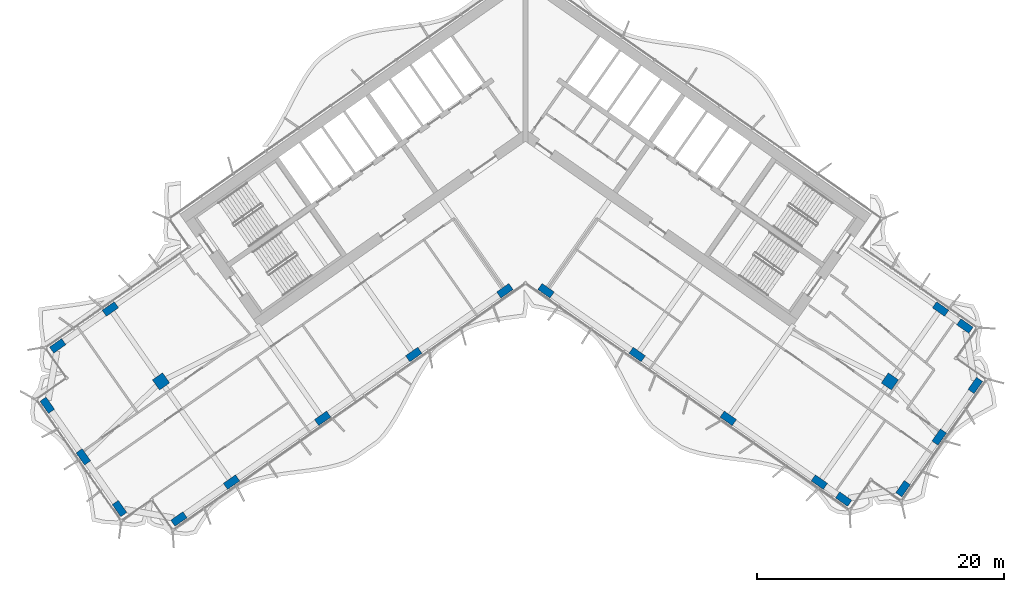
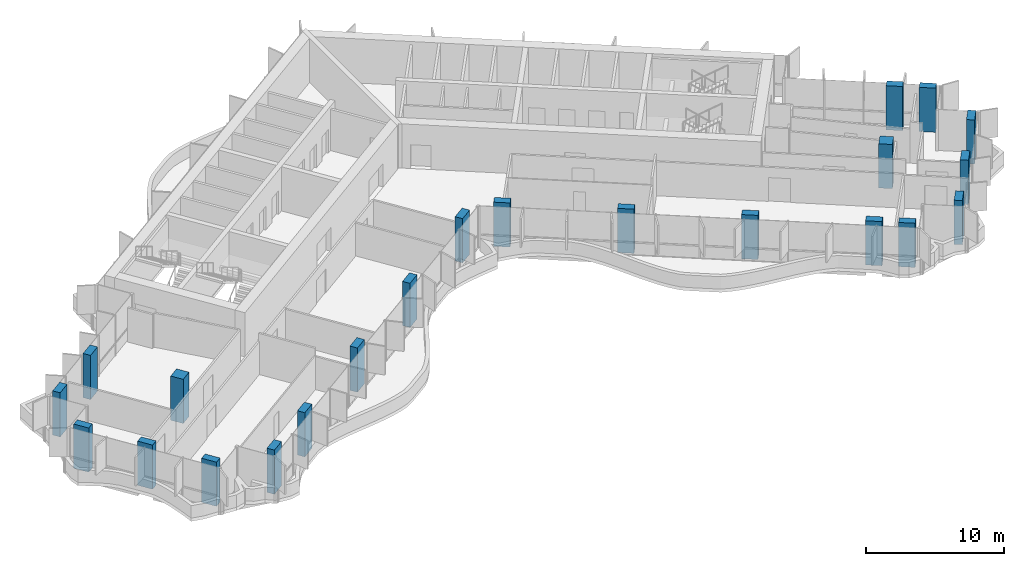
# One storey, part 1 of 21: 22 columns.
"""IFC4 building model written with IfcOpenShell, lengths in metres."""

from ifc_helpers import new_model, si_unit, direction, frame, origin, origin_2d, place, context, subcontext, project, spatial, rectangle, extrude, material, material_profile, profile_set, type_object, element, save


model = new_model("IFC4")

# Units and contexts
model_context = context("Model", 3, precision=1e-05, world=origin(), true_north=direction((0.0, 1.0)))
body_context = subcontext(model_context, "Body", "Model", "MODEL_VIEW")
ifc_project = project(units=[si_unit("LENGTHUNIT", "METRE"), si_unit("AREAUNIT", "SQUARE_METRE"), si_unit("VOLUMEUNIT", "CUBIC_METRE"), si_unit("PLANEANGLEUNIT", "RADIAN"), si_unit("MASSUNIT", "GRAM", prefix="KILO")], contexts=[model_context])

# Site, building, storey
site_placement = place(None, origin())
site = spatial("IfcSite", under=ifc_project, at=site_placement, CompositionType="ELEMENT")
building_placement = place(site_placement, origin())
building = spatial("IfcBuilding", under=site, at=building_placement, Name="Tel Ilan Convention Tower", CompositionType="ELEMENT")
storey_placement = place(building_placement, frame((0.0, 0.0, 147.60009765625)))
storey = spatial("IfcBuildingStorey", under=building, at=storey_placement, Name="L33", CompositionType="ELEMENT", Elevation=147.60009765625)

# Columns
ifc_material_1 = material(Name="Concrete C50/60", Category="concrete")
ifc_material_profile_1 = material_profile(ifc_material_1, rectangle(XDim=1.0, YDim=1.0, at=origin_2d()), Name="RC 1000x1000")
ifc_profile_set_1 = profile_set([ifc_material_profile_1], Name="Concrete C50/60")
column_type_1 = type_object("IfcColumnType", Name="Column RC 1000x1000 C50/60", PredefinedType="COLUMN", material=ifc_profile_set_1)
for number, where, z_axis, x_axis, name in (
    (1, (-29.489501953125, -20.648681640625, 0.0), (0.0, 0.0, 1.0), (-0.819152044289, -0.573576436351, 0.0), "L33 column W-M4"),
    (2, (29.489501953125, -20.648681640625, 0.0), (0.0, 0.0, 1.0), (0.819152044289, -0.573576436351, 0.0), "L33 column E-M4"),
):
    element("IfcColumn", number, at=place(storey_placement, frame(where, z_axis=z_axis, x_axis=x_axis)), inside=storey, type_object=column_type_1, Name=name, PredefinedType="COLUMN", context=body_context, shape_type="SweptSolid", body=[
        extrude(rectangle(XDim=1.0, YDim=1.0, at=origin_2d()), origin(), (0.0, 0.0, 1.0), 3.89990234375),
    ])
ifc_material_2 = material(Name="Concrete C50/60", Category="concrete")
ifc_material_profile_2 = material_profile(ifc_material_2, rectangle(XDim=1.199951171875, YDim=0.60009765625, at=origin_2d()), Name="RC 600x1200")
ifc_profile_set_2 = profile_set([ifc_material_profile_2], Name="Concrete C50/60")
column_type_2 = type_object("IfcColumnType", Name="Column RC 600x1200 C50/60", PredefinedType="COLUMN", material=ifc_profile_set_2)
for number, where, z_axis, x_axis, name in (
    (3, (-1.665283203125, -13.312744140625, 0.0), (0.0, 0.0, 1.0), (-0.819152044289, -0.573576436351, 0.0), "L33 column W-F1"),
    (4, (-9.03759765625, -18.474853515625, 0.0), (0.0, 0.0, 1.0), (-0.819152044289, -0.573576436351, 0.0), "L33 column W-F2"),
    (5, (-16.409912109375, -23.63720703125, 0.0), (0.0, 0.0, 1.0), (-0.819152044289, -0.573576436351, 0.0), "L33 column W-F3"),
    (6, (-23.782470703125, -28.79931640625, 0.0), (0.0, 0.0, 1.0), (-0.819152044289, -0.573576436351, 0.0), "L33 column W-F4"),
    (7, (-28.0419921875, -31.781982421875, 0.0), (0.0, 0.0, 1.0), (-0.819152044289, -0.573576436351, 0.0), "L33 column W-FC"),
    (8, (-33.590576171875, -14.791748046875, 0.0), (0.0, 0.0, 1.0), (-0.819152044289, -0.573576436351, 0.0), "L33 column W-B4"),
    (9, (-37.85009765625, -17.7744140625, 0.0), (0.0, 0.0, 1.0), (-0.819152044289, -0.573576436351, 0.0), "L33 column W-BC"),
    (10, (-32.846923828125, -30.934814453125, 0.0), (0.0, 0.0, 1.0), (-0.573576436351, 0.819152044289, 0.0), "L33 column W-E1"),
    (11, (-35.772216796875, -26.757080078125, 0.0), (0.0, 0.0, 1.0), (-0.573576436351, 0.819152044289, 0.0), "L33 column W-E2"),
    (12, (-38.697509765625, -22.579345703125, 0.0), (0.0, 0.0, 1.0), (-0.573576436351, 0.819152044289, 0.0), "L33 column W-E3"),
    (13, (1.665283203125, -13.312744140625, 0.0), (0.0, 0.0, 1.0), (0.819152044289, -0.573576436351, 0.0), "L33 column E-F1"),
    (14, (9.03759765625, -18.474853515625, 0.0), (0.0, 0.0, 1.0), (0.819152044289, -0.573576436351, 0.0), "L33 column E-F2"),
    (15, (16.409912109375, -23.63720703125, 0.0), (0.0, 0.0, 1.0), (0.819152044289, -0.573576436351, 0.0), "L33 column E-F3"),
    (16, (23.782470703125, -28.79931640625, 0.0), (0.0, 0.0, 1.0), (0.819152044289, -0.573576436351, 0.0), "L33 column E-F4"),
    (17, (25.748291015625, -30.17578125, 0.0), (0.0, 0.0, 1.0), (0.819152044289, -0.573576436351, 0.0), "L33 column E-FC"),
    (18, (33.590576171875, -14.791748046875, 0.0), (0.0, 0.0, 1.0), (0.819152044289, -0.573576436351, 0.0), "L33 column E-B4"),
    (19, (35.556396484375, -16.16845703125, 0.0), (0.0, 0.0, 1.0), (0.819152044289, -0.573576436351, 0.0), "L33 column E-BC"),
    (20, (30.55322265625, -29.32861328125, 0.0), (0.0, 0.0, 1.0), (0.573576436351, 0.819152044289, 0.0), "L33 column E-E1"),
    (21, (33.478515625, -25.15087890625, 0.0), (0.0, 0.0, 1.0), (0.573576436351, 0.819152044289, 0.0), "L33 column E-E2"),
    (22, (36.40380859375, -20.973388671875, 0.0), (0.0, 0.0, 1.0), (0.573576436351, 0.819152044289, 0.0), "L33 column E-E3"),
):
    element("IfcColumn", number, at=place(storey_placement, frame(where, z_axis=z_axis, x_axis=x_axis)), inside=storey, type_object=column_type_2, Name=name, PredefinedType="COLUMN", context=body_context, shape_type="SweptSolid", body=[
        extrude(rectangle(XDim=1.199951171875, YDim=0.60009765625, at=origin_2d()), origin(), (0.0, 0.0, 1.0), 3.89990234375),
    ])

save(model, "model.ifc")
